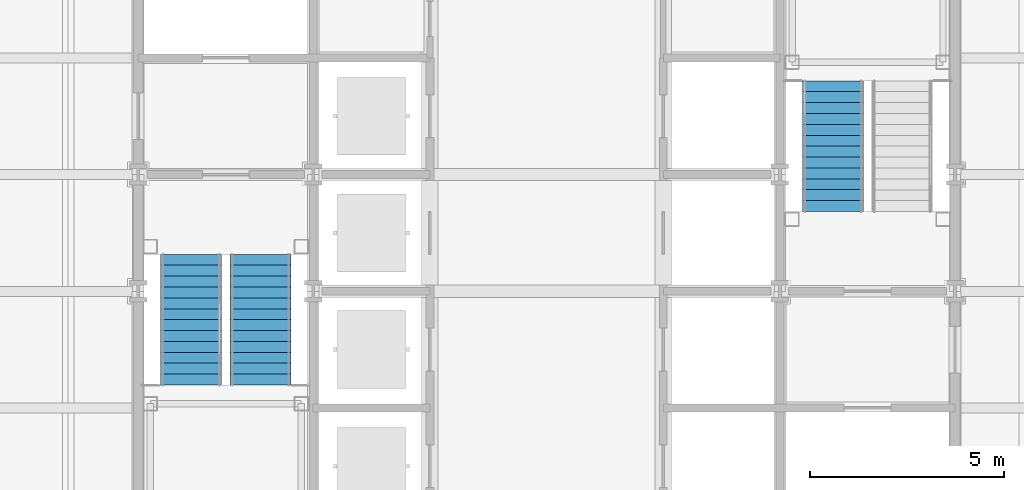
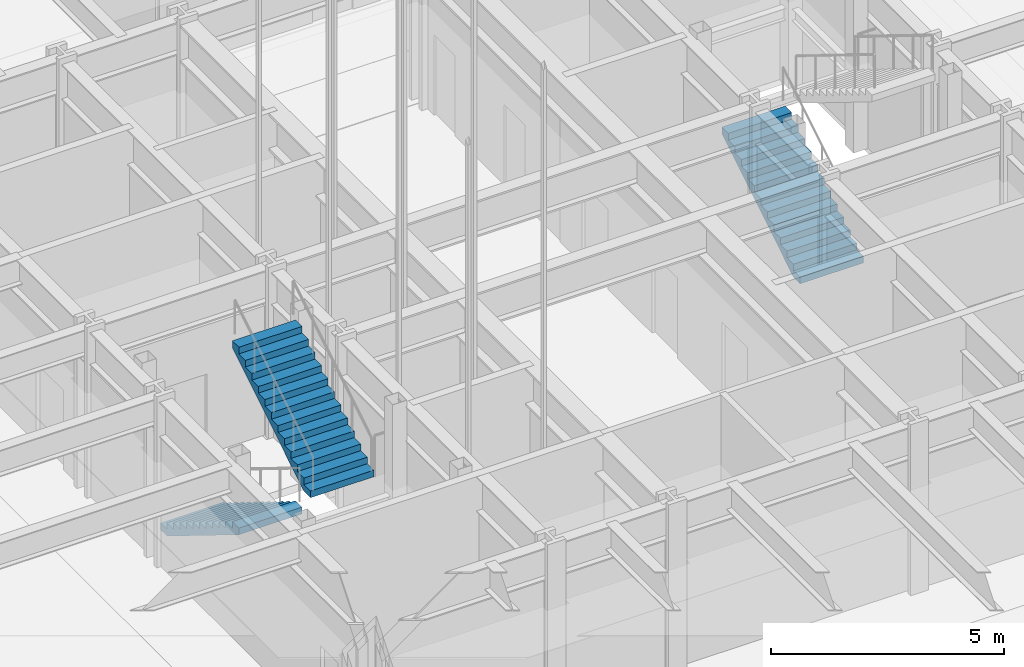
# One storey, part 12 of 24: 3 stair flights, 2 elements without a shape of their own.
"""IFC4 building model written with IfcOpenShell, lengths in metres."""

from ifc_helpers import new_model, si_unit, direction, frame, origin, place, context, subcontext, project, spatial, faceted_brep, material, type_object, element, aggregate, save


model = new_model("IFC4")

# Units and contexts
model_context = context("Model", 3, precision=1e-05, world=origin(), true_north=direction((0.0, 1.0)))
body_context = subcontext(model_context, "Body", "Model", "MODEL_VIEW")
ifc_project = project(units=[si_unit("LENGTHUNIT", "METRE"), si_unit("AREAUNIT", "SQUARE_METRE"), si_unit("VOLUMEUNIT", "CUBIC_METRE"), si_unit("PLANEANGLEUNIT", "RADIAN"), si_unit("MASSUNIT", "GRAM", prefix="KILO")], contexts=[model_context])

# Site, building, storey
site_placement = place(None, origin())
site = spatial("IfcSite", under=ifc_project, at=site_placement, CompositionType="ELEMENT")
building_placement = place(site_placement, origin())
building = spatial("IfcBuilding", under=site, at=building_placement, Name="Chuquiago Exchange Tower", CompositionType="ELEMENT")
storey_placement = place(building_placement, frame((0.0, 0.0, 257.699951171875)))
storey = spatial("IfcBuildingStorey", under=building, at=storey_placement, Name="L57", CompositionType="ELEMENT", Elevation=257.699951171875)

# Stair, stair flights
ifc_material_1 = material(Name="Concrete C30/37, precast", Category="concrete")
stair_type_1 = type_object("IfcStairType", Name="ST1 half-turn stair 4500", PredefinedType="HALF_TURN_STAIR", material=ifc_material_1)
stair_1_placement = place(storey_placement, origin())
stair_1 = element("IfcStair", 1, at=stair_1_placement, inside=storey, type_object=stair_type_1, Name="Stair ST1 L57", PredefinedType="HALF_TURN_STAIR")
ifc_material_2 = material(Name="Concrete C30/37, precast", Category="concrete")
stair_flight_type = type_object("IfcStairFlightType", Name="ST-F flight 1570 for 4500 storey", PredefinedType="STRAIGHT", material=ifc_material_2)
stair_flight_1_placement = place(storey_placement, frame((13.360107421875, 21.949951171875, 0.0), z_axis=(0.0, 0.0, 1.0), x_axis=(0.0, -1.0, 0.0)))
stair_flight_1 = element("IfcStairFlight", 2, at=stair_flight_1_placement, type_object=stair_flight_type, Name="ST1 flight 1", NumberOfRisers=13, NumberOfTreads=12, PredefinedType="STRAIGHT", RiserHeight=0.173076923, TreadLength=0.28, context=body_context, shape_type="Brep", body=[
    faceted_brep([(0.0, 0.78515625, 0.0), (0.0, 0.78515625, 0.173095703125), (0.280029296875, 0.78515625, 0.173095703125), (0.280029296875, 0.78515625, 0.34619140625), (0.56005859375, 0.78515625, 0.34619140625), (0.56005859375, 0.78515625, 0.519287109375), (0.840087890625, 0.78515625, 0.519287109375), (0.840087890625, 0.78515625, 0.6923828125), (1.1201171875, 0.78515625, 0.6923828125), (1.1201171875, 0.78515625, 0.865478515625), (1.39990234375, 0.78515625, 0.865478515625), (1.39990234375, 0.78515625, 1.03857421875), (1.679931640625, 0.78515625, 1.03857421875), (1.679931640625, 0.78515625, 1.21142578125), (1.9599609375, 0.78515625, 1.21142578125), (1.9599609375, 0.78515625, 1.384521484375), (2.239990234375, 0.78515625, 1.384521484375), (2.239990234375, 0.78515625, 1.5576171875), (2.52001953125, 0.78515625, 1.5576171875), (2.52001953125, 0.78515625, 1.730712890625), (2.800048828125, 0.78515625, 1.730712890625), (2.800048828125, 0.78515625, 1.90380859375), (3.080078125, 0.78515625, 1.90380859375), (3.080078125, 0.78515625, 2.076904296875), (3.360107421875, 0.78515625, 2.076904296875), (3.360107421875, 0.78515625, 1.900634765625), (0.28515625, 0.78515625, 0.0), (0.28515625, -0.78515625, 0.0), (3.360107421875, -0.78515625, 1.900634765625), (3.360107421875, -0.78515625, 2.076904296875), (3.080078125, -0.78515625, 2.076904296875), (3.080078125, -0.78515625, 1.90380859375), (2.800048828125, -0.78515625, 1.90380859375), (2.800048828125, -0.78515625, 1.730712890625), (2.52001953125, -0.78515625, 1.730712890625), (2.52001953125, -0.78515625, 1.5576171875), (2.239990234375, -0.78515625, 1.5576171875), (2.239990234375, -0.78515625, 1.384521484375), (1.9599609375, -0.78515625, 1.384521484375), (1.9599609375, -0.78515625, 1.21142578125), (1.679931640625, -0.78515625, 1.21142578125), (1.679931640625, -0.78515625, 1.03857421875), (1.39990234375, -0.78515625, 1.03857421875), (1.39990234375, -0.78515625, 0.865478515625), (1.1201171875, -0.78515625, 0.865478515625), (1.1201171875, -0.78515625, 0.6923828125), (0.840087890625, -0.78515625, 0.6923828125), (0.840087890625, -0.78515625, 0.519287109375), (0.56005859375, -0.78515625, 0.519287109375), (0.56005859375, -0.78515625, 0.34619140625), (0.280029296875, -0.78515625, 0.34619140625), (0.280029296875, -0.78515625, 0.173095703125), (0.0, -0.78515625, 0.173095703125), (0.0, -0.78515625, 0.0), (0.0, 0.392578125, 0.0), (0.0, 0.392578125, 0.173095703125), (0.0, 0.0, 0.0), (0.0, 0.0, 0.173095703125), (0.0, -0.392578125, 0.0), (0.0, -0.392578125, 0.173095703125), (0.280029296875, 0.392578125, 0.173095703125), (0.280029296875, 0.0, 0.173095703125), (0.280029296875, -0.392578125, 0.173095703125), (0.280029296875, 0.392578125, 0.34619140625), (0.280029296875, 0.0, 0.34619140625), (0.280029296875, -0.392578125, 0.34619140625), (0.56005859375, 0.392578125, 0.34619140625), (0.56005859375, 0.0, 0.34619140625), (0.56005859375, -0.392578125, 0.34619140625), (0.56005859375, 0.392578125, 0.519287109375), (0.56005859375, 0.0, 0.519287109375), (0.56005859375, -0.392578125, 0.519287109375), (0.840087890625, 0.392578125, 0.519287109375), (0.840087890625, 0.0, 0.519287109375), (0.840087890625, -0.392578125, 0.519287109375), (0.840087890625, 0.392578125, 0.6923828125), (0.840087890625, 0.0, 0.6923828125), (0.840087890625, -0.392578125, 0.6923828125), (1.1201171875, 0.392578125, 0.6923828125), (1.1201171875, 0.0, 0.6923828125), (1.1201171875, -0.392578125, 0.6923828125), (1.1201171875, 0.392578125, 0.865478515625), (1.1201171875, 0.0, 0.865478515625), (1.1201171875, -0.392578125, 0.865478515625), (1.39990234375, 0.392578125, 0.865478515625), (1.39990234375, 0.0, 0.865478515625), (1.39990234375, -0.392578125, 0.865478515625), (1.39990234375, 0.392578125, 1.03857421875), (1.39990234375, 0.0, 1.03857421875), (1.39990234375, -0.392578125, 1.03857421875), (1.679931640625, 0.392578125, 1.03857421875), (1.679931640625, 0.0, 1.03857421875), (1.679931640625, -0.392578125, 1.03857421875), (1.679931640625, 0.392578125, 1.21142578125), (1.679931640625, 0.0, 1.21142578125), (1.679931640625, -0.392578125, 1.21142578125), (1.9599609375, 0.392578125, 1.21142578125), (1.9599609375, 0.0, 1.21142578125), (1.9599609375, -0.392578125, 1.21142578125), (1.9599609375, 0.392578125, 1.384521484375), (1.9599609375, 0.0, 1.384521484375), (1.9599609375, -0.392578125, 1.384521484375), (2.239990234375, 0.392578125, 1.384521484375), (2.239990234375, 0.0, 1.384521484375), (2.239990234375, -0.392578125, 1.384521484375), (2.239990234375, 0.392578125, 1.5576171875), (2.239990234375, 0.0, 1.5576171875), (2.239990234375, -0.392578125, 1.5576171875), (2.52001953125, 0.392578125, 1.5576171875), (2.52001953125, 0.0, 1.5576171875), (2.52001953125, -0.392578125, 1.5576171875), (2.52001953125, 0.392578125, 1.730712890625), (2.52001953125, 0.0, 1.730712890625), (2.52001953125, -0.392578125, 1.730712890625), (2.800048828125, 0.392578125, 1.730712890625), (2.800048828125, 0.0, 1.730712890625), (2.800048828125, -0.392578125, 1.730712890625), (2.800048828125, 0.392578125, 1.90380859375), (2.800048828125, 0.0, 1.90380859375), (2.800048828125, -0.392578125, 1.90380859375), (3.080078125, 0.392578125, 1.90380859375), (3.080078125, 0.0, 1.90380859375), (3.080078125, -0.392578125, 1.90380859375), (3.080078125, 0.392578125, 2.076904296875), (3.080078125, 0.0, 2.076904296875), (3.080078125, -0.392578125, 2.076904296875), (3.360107421875, 0.392578125, 2.076904296875), (3.360107421875, 0.0, 2.076904296875), (3.360107421875, -0.392578125, 2.076904296875), (3.360107421875, 0.392578125, 1.900634765625), (3.360107421875, 0.0, 1.900634765625), (3.360107421875, -0.392578125, 1.900634765625), (0.28515625, 0.392578125, 0.0), (0.28515625, 0.0, 0.0), (0.28515625, -0.392578125, 0.0)], [[[0, 1, 2, 3, 4, 5, 6, 7, 8, 9, 10, 11, 12, 13, 14, 15, 16, 17, 18, 19, 20, 21, 22, 23, 24, 25, 26]], [[27, 28, 29, 30, 31, 32, 33, 34, 35, 36, 37, 38, 39, 40, 41, 42, 43, 44, 45, 46, 47, 48, 49, 50, 51, 52, 53]], [[1, 0, 54, 55]], [[55, 54, 56, 57]], [[57, 56, 58, 59]], [[59, 58, 53, 52]], [[2, 1, 55, 60]], [[60, 55, 57, 61]], [[61, 57, 59, 62]], [[62, 59, 52, 51]], [[3, 2, 60, 63]], [[63, 60, 61, 64]], [[64, 61, 62, 65]], [[65, 62, 51, 50]], [[4, 3, 63, 66]], [[66, 63, 64, 67]], [[67, 64, 65, 68]], [[68, 65, 50, 49]], [[5, 4, 66, 69]], [[69, 66, 67, 70]], [[70, 67, 68, 71]], [[71, 68, 49, 48]], [[6, 5, 69, 72]], [[72, 69, 70, 73]], [[73, 70, 71, 74]], [[74, 71, 48, 47]], [[7, 6, 72, 75]], [[75, 72, 73, 76]], [[76, 73, 74, 77]], [[77, 74, 47, 46]], [[8, 7, 75, 78]], [[78, 75, 76, 79]], [[79, 76, 77, 80]], [[80, 77, 46, 45]], [[9, 8, 78, 81]], [[81, 78, 79, 82]], [[82, 79, 80, 83]], [[83, 80, 45, 44]], [[10, 9, 81, 84]], [[84, 81, 82, 85]], [[85, 82, 83, 86]], [[86, 83, 44, 43]], [[11, 10, 84, 87]], [[87, 84, 85, 88]], [[88, 85, 86, 89]], [[89, 86, 43, 42]], [[12, 11, 87, 90]], [[90, 87, 88, 91]], [[91, 88, 89, 92]], [[92, 89, 42, 41]], [[13, 12, 90, 93]], [[93, 90, 91, 94]], [[94, 91, 92, 95]], [[95, 92, 41, 40]], [[14, 13, 93, 96]], [[96, 93, 94, 97]], [[97, 94, 95, 98]], [[98, 95, 40, 39]], [[15, 14, 96, 99]], [[99, 96, 97, 100]], [[100, 97, 98, 101]], [[101, 98, 39, 38]], [[16, 15, 99, 102]], [[102, 99, 100, 103]], [[103, 100, 101, 104]], [[104, 101, 38, 37]], [[17, 16, 102, 105]], [[105, 102, 103, 106]], [[106, 103, 104, 107]], [[107, 104, 37, 36]], [[18, 17, 105, 108]], [[108, 105, 106, 109]], [[109, 106, 107, 110]], [[110, 107, 36, 35]], [[19, 18, 108, 111]], [[111, 108, 109, 112]], [[112, 109, 110, 113]], [[113, 110, 35, 34]], [[20, 19, 111, 114]], [[114, 111, 112, 115]], [[115, 112, 113, 116]], [[116, 113, 34, 33]], [[21, 20, 114, 117]], [[117, 114, 115, 118]], [[118, 115, 116, 119]], [[119, 116, 33, 32]], [[22, 21, 117, 120]], [[120, 117, 118, 121]], [[121, 118, 119, 122]], [[122, 119, 32, 31]], [[23, 22, 120, 123]], [[123, 120, 121, 124]], [[124, 121, 122, 125]], [[125, 122, 31, 30]], [[24, 23, 123, 126]], [[126, 123, 124, 127]], [[127, 124, 125, 128]], [[128, 125, 30, 29]], [[25, 24, 126, 129]], [[129, 126, 127, 130]], [[130, 127, 128, 131]], [[131, 128, 29, 28]], [[26, 25, 129, 132]], [[132, 129, 130, 133]], [[133, 130, 131, 134]], [[134, 131, 28, 27]], [[0, 26, 132, 54]], [[54, 132, 133, 56]], [[56, 133, 134, 58]], [[58, 134, 27, 53]]]),
])
stair_flight_2_placement = place(storey_placement, frame((15.139892578125, 18.590087890625, 2.25), z_axis=(0.0, 0.0, 1.0), x_axis=(0.0, 1.0, 0.0)))
stair_flight_2 = element("IfcStairFlight", 3, at=stair_flight_2_placement, type_object=stair_flight_type, Name="ST1 flight 2", NumberOfRisers=13, NumberOfTreads=12, PredefinedType="STRAIGHT", RiserHeight=0.173076923, TreadLength=0.28, context=body_context, shape_type="Brep", body=[
    faceted_brep([(0.0, 0.78515625, 0.0), (0.0, 0.78515625, 0.173095703125), (0.280029296875, 0.78515625, 0.173095703125), (0.280029296875, 0.78515625, 0.34619140625), (0.56005859375, 0.78515625, 0.34619140625), (0.56005859375, 0.78515625, 0.519287109375), (0.840087890625, 0.78515625, 0.519287109375), (0.840087890625, 0.78515625, 0.6923828125), (1.1201171875, 0.78515625, 0.6923828125), (1.1201171875, 0.78515625, 0.865478515625), (1.39990234375, 0.78515625, 0.865478515625), (1.39990234375, 0.78515625, 1.03857421875), (1.679931640625, 0.78515625, 1.03857421875), (1.679931640625, 0.78515625, 1.21142578125), (1.9599609375, 0.78515625, 1.21142578125), (1.9599609375, 0.78515625, 1.384521484375), (2.239990234375, 0.78515625, 1.384521484375), (2.239990234375, 0.78515625, 1.5576171875), (2.52001953125, 0.78515625, 1.5576171875), (2.52001953125, 0.78515625, 1.730712890625), (2.800048828125, 0.78515625, 1.730712890625), (2.800048828125, 0.78515625, 1.90380859375), (3.080078125, 0.78515625, 1.90380859375), (3.080078125, 0.78515625, 2.076904296875), (3.360107421875, 0.78515625, 2.076904296875), (3.360107421875, 0.78515625, 1.900634765625), (0.28515625, 0.78515625, 0.0), (0.28515625, -0.78515625, 0.0), (3.360107421875, -0.78515625, 1.900634765625), (3.360107421875, -0.78515625, 2.076904296875), (3.080078125, -0.78515625, 2.076904296875), (3.080078125, -0.78515625, 1.90380859375), (2.800048828125, -0.78515625, 1.90380859375), (2.800048828125, -0.78515625, 1.730712890625), (2.52001953125, -0.78515625, 1.730712890625), (2.52001953125, -0.78515625, 1.5576171875), (2.239990234375, -0.78515625, 1.5576171875), (2.239990234375, -0.78515625, 1.384521484375), (1.9599609375, -0.78515625, 1.384521484375), (1.9599609375, -0.78515625, 1.21142578125), (1.679931640625, -0.78515625, 1.21142578125), (1.679931640625, -0.78515625, 1.03857421875), (1.39990234375, -0.78515625, 1.03857421875), (1.39990234375, -0.78515625, 0.865478515625), (1.1201171875, -0.78515625, 0.865478515625), (1.1201171875, -0.78515625, 0.6923828125), (0.840087890625, -0.78515625, 0.6923828125), (0.840087890625, -0.78515625, 0.519287109375), (0.56005859375, -0.78515625, 0.519287109375), (0.56005859375, -0.78515625, 0.34619140625), (0.280029296875, -0.78515625, 0.34619140625), (0.280029296875, -0.78515625, 0.173095703125), (0.0, -0.78515625, 0.173095703125), (0.0, -0.78515625, 0.0), (0.0, 0.392578125, 0.0), (0.0, 0.392578125, 0.173095703125), (0.0, 0.0, 0.0), (0.0, 0.0, 0.173095703125), (0.0, -0.392578125, 0.0), (0.0, -0.392578125, 0.173095703125), (0.280029296875, 0.392578125, 0.173095703125), (0.280029296875, 0.0, 0.173095703125), (0.280029296875, -0.392578125, 0.173095703125), (0.280029296875, 0.392578125, 0.34619140625), (0.280029296875, 0.0, 0.34619140625), (0.280029296875, -0.392578125, 0.34619140625), (0.56005859375, 0.392578125, 0.34619140625), (0.56005859375, 0.0, 0.34619140625), (0.56005859375, -0.392578125, 0.34619140625), (0.56005859375, 0.392578125, 0.519287109375), (0.56005859375, 0.0, 0.519287109375), (0.56005859375, -0.392578125, 0.519287109375), (0.840087890625, 0.392578125, 0.519287109375), (0.840087890625, 0.0, 0.519287109375), (0.840087890625, -0.392578125, 0.519287109375), (0.840087890625, 0.392578125, 0.6923828125), (0.840087890625, 0.0, 0.6923828125), (0.840087890625, -0.392578125, 0.6923828125), (1.1201171875, 0.392578125, 0.6923828125), (1.1201171875, 0.0, 0.6923828125), (1.1201171875, -0.392578125, 0.6923828125), (1.1201171875, 0.392578125, 0.865478515625), (1.1201171875, 0.0, 0.865478515625), (1.1201171875, -0.392578125, 0.865478515625), (1.39990234375, 0.392578125, 0.865478515625), (1.39990234375, 0.0, 0.865478515625), (1.39990234375, -0.392578125, 0.865478515625), (1.39990234375, 0.392578125, 1.03857421875), (1.39990234375, 0.0, 1.03857421875), (1.39990234375, -0.392578125, 1.03857421875), (1.679931640625, 0.392578125, 1.03857421875), (1.679931640625, 0.0, 1.03857421875), (1.679931640625, -0.392578125, 1.03857421875), (1.679931640625, 0.392578125, 1.21142578125), (1.679931640625, 0.0, 1.21142578125), (1.679931640625, -0.392578125, 1.21142578125), (1.9599609375, 0.392578125, 1.21142578125), (1.9599609375, 0.0, 1.21142578125), (1.9599609375, -0.392578125, 1.21142578125), (1.9599609375, 0.392578125, 1.384521484375), (1.9599609375, 0.0, 1.384521484375), (1.9599609375, -0.392578125, 1.384521484375), (2.239990234375, 0.392578125, 1.384521484375), (2.239990234375, 0.0, 1.384521484375), (2.239990234375, -0.392578125, 1.384521484375), (2.239990234375, 0.392578125, 1.5576171875), (2.239990234375, 0.0, 1.5576171875), (2.239990234375, -0.392578125, 1.5576171875), (2.52001953125, 0.392578125, 1.5576171875), (2.52001953125, 0.0, 1.5576171875), (2.52001953125, -0.392578125, 1.5576171875), (2.52001953125, 0.392578125, 1.730712890625), (2.52001953125, 0.0, 1.730712890625), (2.52001953125, -0.392578125, 1.730712890625), (2.800048828125, 0.392578125, 1.730712890625), (2.800048828125, 0.0, 1.730712890625), (2.800048828125, -0.392578125, 1.730712890625), (2.800048828125, 0.392578125, 1.90380859375), (2.800048828125, 0.0, 1.90380859375), (2.800048828125, -0.392578125, 1.90380859375), (3.080078125, 0.392578125, 1.90380859375), (3.080078125, 0.0, 1.90380859375), (3.080078125, -0.392578125, 1.90380859375), (3.080078125, 0.392578125, 2.076904296875), (3.080078125, 0.0, 2.076904296875), (3.080078125, -0.392578125, 2.076904296875), (3.360107421875, 0.392578125, 2.076904296875), (3.360107421875, 0.0, 2.076904296875), (3.360107421875, -0.392578125, 2.076904296875), (3.360107421875, 0.392578125, 1.900634765625), (3.360107421875, 0.0, 1.900634765625), (3.360107421875, -0.392578125, 1.900634765625), (0.28515625, 0.392578125, 0.0), (0.28515625, 0.0, 0.0), (0.28515625, -0.392578125, 0.0)], [[[0, 1, 2, 3, 4, 5, 6, 7, 8, 9, 10, 11, 12, 13, 14, 15, 16, 17, 18, 19, 20, 21, 22, 23, 24, 25, 26]], [[27, 28, 29, 30, 31, 32, 33, 34, 35, 36, 37, 38, 39, 40, 41, 42, 43, 44, 45, 46, 47, 48, 49, 50, 51, 52, 53]], [[1, 0, 54, 55]], [[55, 54, 56, 57]], [[57, 56, 58, 59]], [[59, 58, 53, 52]], [[2, 1, 55, 60]], [[60, 55, 57, 61]], [[61, 57, 59, 62]], [[62, 59, 52, 51]], [[3, 2, 60, 63]], [[63, 60, 61, 64]], [[64, 61, 62, 65]], [[65, 62, 51, 50]], [[4, 3, 63, 66]], [[66, 63, 64, 67]], [[67, 64, 65, 68]], [[68, 65, 50, 49]], [[5, 4, 66, 69]], [[69, 66, 67, 70]], [[70, 67, 68, 71]], [[71, 68, 49, 48]], [[6, 5, 69, 72]], [[72, 69, 70, 73]], [[73, 70, 71, 74]], [[74, 71, 48, 47]], [[7, 6, 72, 75]], [[75, 72, 73, 76]], [[76, 73, 74, 77]], [[77, 74, 47, 46]], [[8, 7, 75, 78]], [[78, 75, 76, 79]], [[79, 76, 77, 80]], [[80, 77, 46, 45]], [[9, 8, 78, 81]], [[81, 78, 79, 82]], [[82, 79, 80, 83]], [[83, 80, 45, 44]], [[10, 9, 81, 84]], [[84, 81, 82, 85]], [[85, 82, 83, 86]], [[86, 83, 44, 43]], [[11, 10, 84, 87]], [[87, 84, 85, 88]], [[88, 85, 86, 89]], [[89, 86, 43, 42]], [[12, 11, 87, 90]], [[90, 87, 88, 91]], [[91, 88, 89, 92]], [[92, 89, 42, 41]], [[13, 12, 90, 93]], [[93, 90, 91, 94]], [[94, 91, 92, 95]], [[95, 92, 41, 40]], [[14, 13, 93, 96]], [[96, 93, 94, 97]], [[97, 94, 95, 98]], [[98, 95, 40, 39]], [[15, 14, 96, 99]], [[99, 96, 97, 100]], [[100, 97, 98, 101]], [[101, 98, 39, 38]], [[16, 15, 99, 102]], [[102, 99, 100, 103]], [[103, 100, 101, 104]], [[104, 101, 38, 37]], [[17, 16, 102, 105]], [[105, 102, 103, 106]], [[106, 103, 104, 107]], [[107, 104, 37, 36]], [[18, 17, 105, 108]], [[108, 105, 106, 109]], [[109, 106, 107, 110]], [[110, 107, 36, 35]], [[19, 18, 108, 111]], [[111, 108, 109, 112]], [[112, 109, 110, 113]], [[113, 110, 35, 34]], [[20, 19, 111, 114]], [[114, 111, 112, 115]], [[115, 112, 113, 116]], [[116, 113, 34, 33]], [[21, 20, 114, 117]], [[117, 114, 115, 118]], [[118, 115, 116, 119]], [[119, 116, 33, 32]], [[22, 21, 117, 120]], [[120, 117, 118, 121]], [[121, 118, 119, 122]], [[122, 119, 32, 31]], [[23, 22, 120, 123]], [[123, 120, 121, 124]], [[124, 121, 122, 125]], [[125, 122, 31, 30]], [[24, 23, 123, 126]], [[126, 123, 124, 127]], [[127, 124, 125, 128]], [[128, 125, 30, 29]], [[25, 24, 126, 129]], [[129, 126, 127, 130]], [[130, 127, 128, 131]], [[131, 128, 29, 28]], [[26, 25, 129, 132]], [[132, 129, 130, 133]], [[133, 130, 131, 134]], [[134, 131, 28, 27]], [[0, 26, 132, 54]], [[54, 132, 133, 56]], [[56, 133, 134, 58]], [[58, 134, 27, 53]]]),
])
aggregate(stair_1, [stair_flight_1, stair_flight_2])

# Stair, stair flight
ifc_material_3 = material(Name="Concrete C30/37, precast", Category="concrete")
stair_type_2 = type_object("IfcStairType", Name="ST2 half-turn stair 4500", PredefinedType="HALF_TURN_STAIR", material=ifc_material_3)
stair_2_placement = place(storey_placement, origin())
stair_2 = element("IfcStair", 4, at=stair_2_placement, inside=storey, type_object=stair_type_2, Name="Stair ST2 L57", PredefinedType="HALF_TURN_STAIR")
stair_flight_3_placement = place(storey_placement, frame((29.860107421875, 23.050048828125, 0.0), z_axis=(0.0, 0.0, 1.0), x_axis=(0.0, 1.0, 0.0)))
stair_flight_3 = element("IfcStairFlight", 5, at=stair_flight_3_placement, type_object=stair_flight_type, Name="ST2 flight 1", NumberOfRisers=13, NumberOfTreads=12, PredefinedType="STRAIGHT", RiserHeight=0.173076923, TreadLength=0.28, context=body_context, shape_type="Brep", body=[
    faceted_brep([(0.0, 0.78515625, 0.0), (0.0, 0.78515625, 0.173095703125), (0.280029296875, 0.78515625, 0.173095703125), (0.280029296875, 0.78515625, 0.34619140625), (0.56005859375, 0.78515625, 0.34619140625), (0.56005859375, 0.78515625, 0.519287109375), (0.840087890625, 0.78515625, 0.519287109375), (0.840087890625, 0.78515625, 0.6923828125), (1.1201171875, 0.78515625, 0.6923828125), (1.1201171875, 0.78515625, 0.865478515625), (1.39990234375, 0.78515625, 0.865478515625), (1.39990234375, 0.78515625, 1.03857421875), (1.679931640625, 0.78515625, 1.03857421875), (1.679931640625, 0.78515625, 1.21142578125), (1.9599609375, 0.78515625, 1.21142578125), (1.9599609375, 0.78515625, 1.384521484375), (2.239990234375, 0.78515625, 1.384521484375), (2.239990234375, 0.78515625, 1.5576171875), (2.52001953125, 0.78515625, 1.5576171875), (2.52001953125, 0.78515625, 1.730712890625), (2.800048828125, 0.78515625, 1.730712890625), (2.800048828125, 0.78515625, 1.90380859375), (3.080078125, 0.78515625, 1.90380859375), (3.080078125, 0.78515625, 2.076904296875), (3.360107421875, 0.78515625, 2.076904296875), (3.360107421875, 0.78515625, 1.900634765625), (0.28515625, 0.78515625, 0.0), (0.28515625, -0.78515625, 0.0), (3.360107421875, -0.78515625, 1.900634765625), (3.360107421875, -0.78515625, 2.076904296875), (3.080078125, -0.78515625, 2.076904296875), (3.080078125, -0.78515625, 1.90380859375), (2.800048828125, -0.78515625, 1.90380859375), (2.800048828125, -0.78515625, 1.730712890625), (2.52001953125, -0.78515625, 1.730712890625), (2.52001953125, -0.78515625, 1.5576171875), (2.239990234375, -0.78515625, 1.5576171875), (2.239990234375, -0.78515625, 1.384521484375), (1.9599609375, -0.78515625, 1.384521484375), (1.9599609375, -0.78515625, 1.21142578125), (1.679931640625, -0.78515625, 1.21142578125), (1.679931640625, -0.78515625, 1.03857421875), (1.39990234375, -0.78515625, 1.03857421875), (1.39990234375, -0.78515625, 0.865478515625), (1.1201171875, -0.78515625, 0.865478515625), (1.1201171875, -0.78515625, 0.6923828125), (0.840087890625, -0.78515625, 0.6923828125), (0.840087890625, -0.78515625, 0.519287109375), (0.56005859375, -0.78515625, 0.519287109375), (0.56005859375, -0.78515625, 0.34619140625), (0.280029296875, -0.78515625, 0.34619140625), (0.280029296875, -0.78515625, 0.173095703125), (0.0, -0.78515625, 0.173095703125), (0.0, -0.78515625, 0.0), (0.0, 0.392578125, 0.0), (0.0, 0.392578125, 0.173095703125), (0.0, 0.0, 0.0), (0.0, 0.0, 0.173095703125), (0.0, -0.392578125, 0.0), (0.0, -0.392578125, 0.173095703125), (0.280029296875, 0.392578125, 0.173095703125), (0.280029296875, 0.0, 0.173095703125), (0.280029296875, -0.392578125, 0.173095703125), (0.280029296875, 0.392578125, 0.34619140625), (0.280029296875, 0.0, 0.34619140625), (0.280029296875, -0.392578125, 0.34619140625), (0.56005859375, 0.392578125, 0.34619140625), (0.56005859375, 0.0, 0.34619140625), (0.56005859375, -0.392578125, 0.34619140625), (0.56005859375, 0.392578125, 0.519287109375), (0.56005859375, 0.0, 0.519287109375), (0.56005859375, -0.392578125, 0.519287109375), (0.840087890625, 0.392578125, 0.519287109375), (0.840087890625, 0.0, 0.519287109375), (0.840087890625, -0.392578125, 0.519287109375), (0.840087890625, 0.392578125, 0.6923828125), (0.840087890625, 0.0, 0.6923828125), (0.840087890625, -0.392578125, 0.6923828125), (1.1201171875, 0.392578125, 0.6923828125), (1.1201171875, 0.0, 0.6923828125), (1.1201171875, -0.392578125, 0.6923828125), (1.1201171875, 0.392578125, 0.865478515625), (1.1201171875, 0.0, 0.865478515625), (1.1201171875, -0.392578125, 0.865478515625), (1.39990234375, 0.392578125, 0.865478515625), (1.39990234375, 0.0, 0.865478515625), (1.39990234375, -0.392578125, 0.865478515625), (1.39990234375, 0.392578125, 1.03857421875), (1.39990234375, 0.0, 1.03857421875), (1.39990234375, -0.392578125, 1.03857421875), (1.679931640625, 0.392578125, 1.03857421875), (1.679931640625, 0.0, 1.03857421875), (1.679931640625, -0.392578125, 1.03857421875), (1.679931640625, 0.392578125, 1.21142578125), (1.679931640625, 0.0, 1.21142578125), (1.679931640625, -0.392578125, 1.21142578125), (1.9599609375, 0.392578125, 1.21142578125), (1.9599609375, 0.0, 1.21142578125), (1.9599609375, -0.392578125, 1.21142578125), (1.9599609375, 0.392578125, 1.384521484375), (1.9599609375, 0.0, 1.384521484375), (1.9599609375, -0.392578125, 1.384521484375), (2.239990234375, 0.392578125, 1.384521484375), (2.239990234375, 0.0, 1.384521484375), (2.239990234375, -0.392578125, 1.384521484375), (2.239990234375, 0.392578125, 1.5576171875), (2.239990234375, 0.0, 1.5576171875), (2.239990234375, -0.392578125, 1.5576171875), (2.52001953125, 0.392578125, 1.5576171875), (2.52001953125, 0.0, 1.5576171875), (2.52001953125, -0.392578125, 1.5576171875), (2.52001953125, 0.392578125, 1.730712890625), (2.52001953125, 0.0, 1.730712890625), (2.52001953125, -0.392578125, 1.730712890625), (2.800048828125, 0.392578125, 1.730712890625), (2.800048828125, 0.0, 1.730712890625), (2.800048828125, -0.392578125, 1.730712890625), (2.800048828125, 0.392578125, 1.90380859375), (2.800048828125, 0.0, 1.90380859375), (2.800048828125, -0.392578125, 1.90380859375), (3.080078125, 0.392578125, 1.90380859375), (3.080078125, 0.0, 1.90380859375), (3.080078125, -0.392578125, 1.90380859375), (3.080078125, 0.392578125, 2.076904296875), (3.080078125, 0.0, 2.076904296875), (3.080078125, -0.392578125, 2.076904296875), (3.360107421875, 0.392578125, 2.076904296875), (3.360107421875, 0.0, 2.076904296875), (3.360107421875, -0.392578125, 2.076904296875), (3.360107421875, 0.392578125, 1.900634765625), (3.360107421875, 0.0, 1.900634765625), (3.360107421875, -0.392578125, 1.900634765625), (0.28515625, 0.392578125, 0.0), (0.28515625, 0.0, 0.0), (0.28515625, -0.392578125, 0.0)], [[[0, 1, 2, 3, 4, 5, 6, 7, 8, 9, 10, 11, 12, 13, 14, 15, 16, 17, 18, 19, 20, 21, 22, 23, 24, 25, 26]], [[27, 28, 29, 30, 31, 32, 33, 34, 35, 36, 37, 38, 39, 40, 41, 42, 43, 44, 45, 46, 47, 48, 49, 50, 51, 52, 53]], [[1, 0, 54, 55]], [[55, 54, 56, 57]], [[57, 56, 58, 59]], [[59, 58, 53, 52]], [[2, 1, 55, 60]], [[60, 55, 57, 61]], [[61, 57, 59, 62]], [[62, 59, 52, 51]], [[3, 2, 60, 63]], [[63, 60, 61, 64]], [[64, 61, 62, 65]], [[65, 62, 51, 50]], [[4, 3, 63, 66]], [[66, 63, 64, 67]], [[67, 64, 65, 68]], [[68, 65, 50, 49]], [[5, 4, 66, 69]], [[69, 66, 67, 70]], [[70, 67, 68, 71]], [[71, 68, 49, 48]], [[6, 5, 69, 72]], [[72, 69, 70, 73]], [[73, 70, 71, 74]], [[74, 71, 48, 47]], [[7, 6, 72, 75]], [[75, 72, 73, 76]], [[76, 73, 74, 77]], [[77, 74, 47, 46]], [[8, 7, 75, 78]], [[78, 75, 76, 79]], [[79, 76, 77, 80]], [[80, 77, 46, 45]], [[9, 8, 78, 81]], [[81, 78, 79, 82]], [[82, 79, 80, 83]], [[83, 80, 45, 44]], [[10, 9, 81, 84]], [[84, 81, 82, 85]], [[85, 82, 83, 86]], [[86, 83, 44, 43]], [[11, 10, 84, 87]], [[87, 84, 85, 88]], [[88, 85, 86, 89]], [[89, 86, 43, 42]], [[12, 11, 87, 90]], [[90, 87, 88, 91]], [[91, 88, 89, 92]], [[92, 89, 42, 41]], [[13, 12, 90, 93]], [[93, 90, 91, 94]], [[94, 91, 92, 95]], [[95, 92, 41, 40]], [[14, 13, 93, 96]], [[96, 93, 94, 97]], [[97, 94, 95, 98]], [[98, 95, 40, 39]], [[15, 14, 96, 99]], [[99, 96, 97, 100]], [[100, 97, 98, 101]], [[101, 98, 39, 38]], [[16, 15, 99, 102]], [[102, 99, 100, 103]], [[103, 100, 101, 104]], [[104, 101, 38, 37]], [[17, 16, 102, 105]], [[105, 102, 103, 106]], [[106, 103, 104, 107]], [[107, 104, 37, 36]], [[18, 17, 105, 108]], [[108, 105, 106, 109]], [[109, 106, 107, 110]], [[110, 107, 36, 35]], [[19, 18, 108, 111]], [[111, 108, 109, 112]], [[112, 109, 110, 113]], [[113, 110, 35, 34]], [[20, 19, 111, 114]], [[114, 111, 112, 115]], [[115, 112, 113, 116]], [[116, 113, 34, 33]], [[21, 20, 114, 117]], [[117, 114, 115, 118]], [[118, 115, 116, 119]], [[119, 116, 33, 32]], [[22, 21, 117, 120]], [[120, 117, 118, 121]], [[121, 118, 119, 122]], [[122, 119, 32, 31]], [[23, 22, 120, 123]], [[123, 120, 121, 124]], [[124, 121, 122, 125]], [[125, 122, 31, 30]], [[24, 23, 123, 126]], [[126, 123, 124, 127]], [[127, 124, 125, 128]], [[128, 125, 30, 29]], [[25, 24, 126, 129]], [[129, 126, 127, 130]], [[130, 127, 128, 131]], [[131, 128, 29, 28]], [[26, 25, 129, 132]], [[132, 129, 130, 133]], [[133, 130, 131, 134]], [[134, 131, 28, 27]], [[0, 26, 132, 54]], [[54, 132, 133, 56]], [[56, 133, 134, 58]], [[58, 134, 27, 53]]]),
])
aggregate(stair_2, [stair_flight_3])

save(model, "model.ifc")
